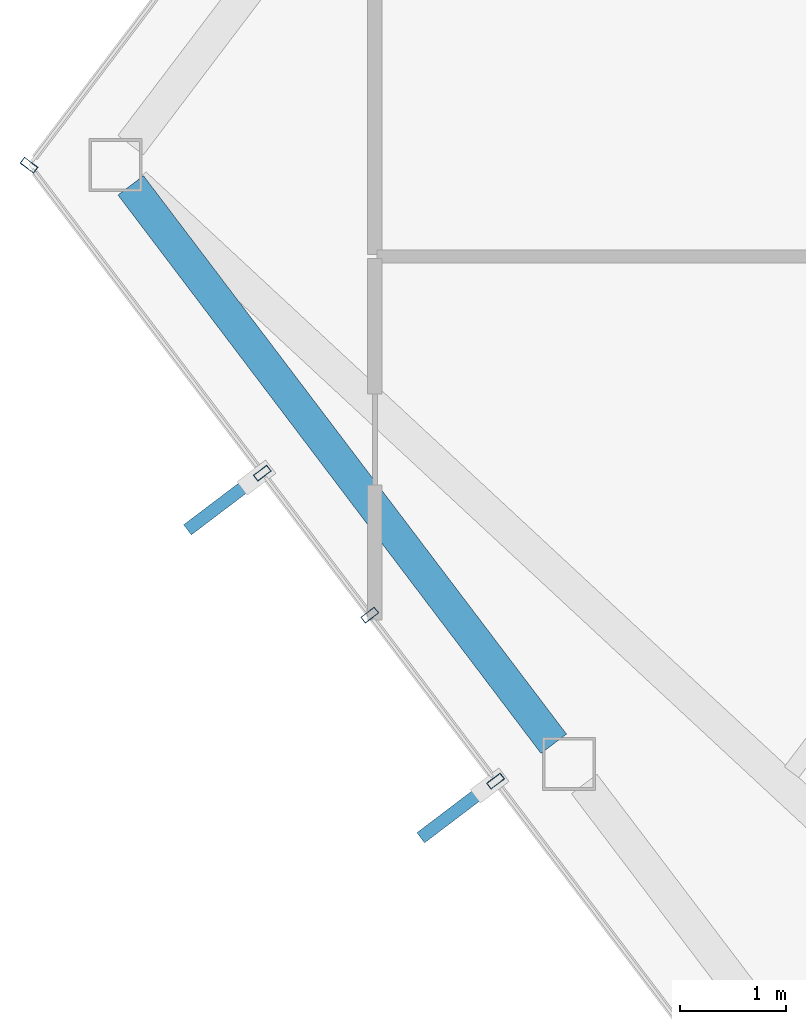
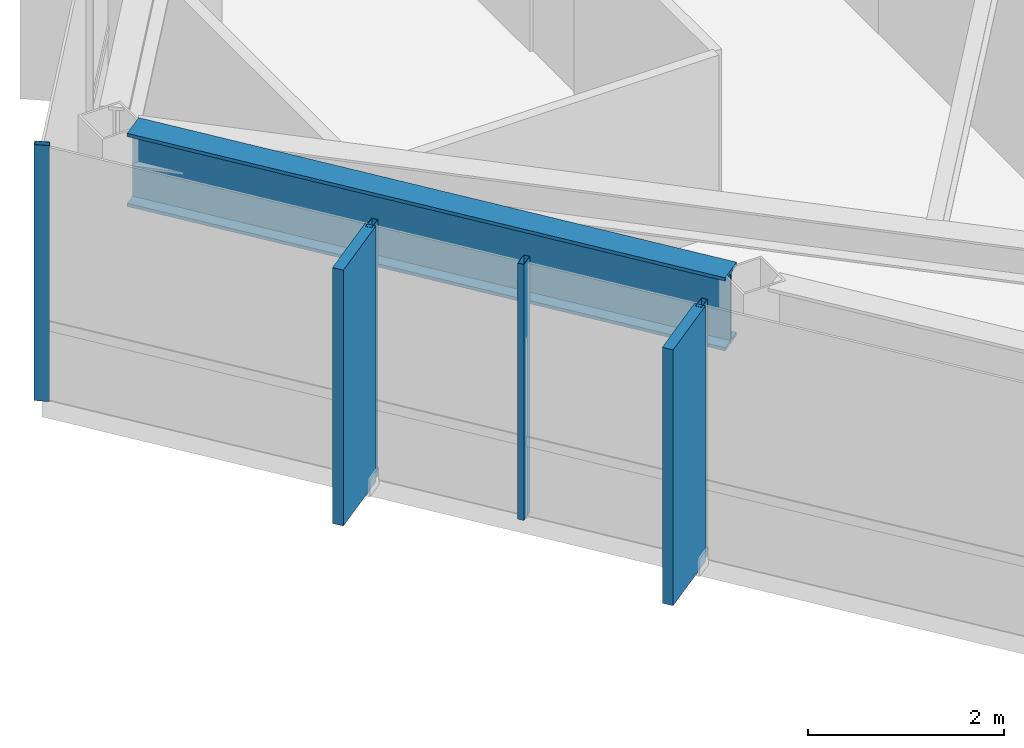
# One storey, part 8 of 26: 6 members, 1 beam, 2 elements without a shape of their own.
"""IFC4 building model written with IfcOpenShell, lengths in metres."""

from ifc_helpers import new_model, si_unit, direction, frame, origin, origin_2d, place, context, subcontext, project, spatial, rectangle, hollow_rectangle, i_section, extrude, material, layer, layer_set, material_profile, profile_set, type_object, element, aggregate, save


model = new_model("IFC4")

# Units and contexts
model_context = context("Model", 3, precision=1e-05, world=origin(), true_north=direction((0.0, 1.0)))
body_context = subcontext(model_context, "Body", "Model", "MODEL_VIEW")
ifc_project = project(units=[si_unit("LENGTHUNIT", "METRE"), si_unit("AREAUNIT", "SQUARE_METRE"), si_unit("VOLUMEUNIT", "CUBIC_METRE"), si_unit("PLANEANGLEUNIT", "RADIAN"), si_unit("MASSUNIT", "GRAM", prefix="KILO")], contexts=[model_context])

# Site, building, storey
site_placement = place(None, origin())
site = spatial("IfcSite", under=ifc_project, at=site_placement, CompositionType="ELEMENT")
building_placement = place(site_placement, origin())
building = spatial("IfcBuilding", under=site, at=building_placement, Name="Zarrinselat Tower", CompositionType="ELEMENT")
storey_placement = place(building_placement, frame((0.0, 0.0, 258.39990234375)))
storey = spatial("IfcBuildingStorey", under=building, at=storey_placement, Name="L65", CompositionType="ELEMENT", Elevation=258.39990234375)

# Beam
ifc_material_1 = material(Name="Steel S460M", Category="steel")
ifc_material_profile_1 = material_profile(ifc_material_1, i_section(OverallWidth=0.302001953125, OverallDepth=0.909912109375, WebThickness=0.02099609375, FlangeThickness=0.0400390625, at=origin_2d()), Name="HEM 900")
ifc_profile_set_1 = profile_set([ifc_material_profile_1], Name="Steel S460M")
beam_type = type_object("IfcBeamType", Name="BM-HEM900", PredefinedType="BEAM", material=ifc_profile_set_1)
beam_placement = place(storey_placement, frame((16.819091796875, 42.009765625, 2.72509765625), z_axis=(0.603884016578, -0.797072201574, 0.0), x_axis=(0.797072201574, 0.603884016578, 0.0)))
element("IfcBeam", 1, at=beam_placement, inside=storey, type_object=beam_type, Name="L65 Perimeter Spandrel Girder SP06", PredefinedType="BEAM", context=body_context, shape_type="SweptSolid", body=[
    extrude(i_section(OverallWidth=0.302001953125, OverallDepth=0.909912109375, WebThickness=0.02099609375, FlangeThickness=0.0400390625, at=origin_2d()), origin(), (0.0, 0.0, 1.0), 6.605712890625),
])

# Curtain wall, member
ifc_material_2 = material(Name="Extruded Aluminium Alloy EN AW-6063 T6", Category="aluminium")
ifc_layer = layer(ifc_material_2, 0.169921875)
ifc_layer_set = layer_set([ifc_layer], Name="Extruded Aluminium Alloy EN AW-6063 T6")
curtain_wall_type = type_object("IfcCurtainWallType", Name="CWS-RES", PredefinedType="NOTDEFINED", material=ifc_layer_set)
curtain_wall_1_placement = place(storey_placement, origin())
curtain_wall_1 = element("IfcCurtainWall", 2, at=curtain_wall_1_placement, inside=storey, type_object=curtain_wall_type, Name="L65 Unitised Curtain Wall CW-L65-E02", PredefinedType="NOTDEFINED")
ifc_material_3 = material(Name="Extruded Aluminium Alloy EN AW-6063 T6", Category="aluminium")
ifc_material_profile_2 = material_profile(ifc_material_3, hollow_rectangle(XDim=0.070068359375, YDim=0.159912109375, WallThickness=0.00390625, at=origin_2d()), Name="RHS 160x70x4")
ifc_profile_set_2 = profile_set([ifc_material_profile_2], Name="Extruded Aluminium Alloy EN AW-6063 T6")
member_type_1 = type_object("IfcMemberType", Name="MEM-CW-MUL2", PredefinedType="MULLION", material=ifc_profile_set_2)
member_1_placement = place(storey_placement, frame((15.860107421875, 42.199462890625, 0.0), z_axis=(0.0, 0.0, 1.0), x_axis=(-0.60385470922, -0.797094404793, 0.0)))
member_1 = element("IfcMember", 3, at=member_1_placement, type_object=member_type_1, Name="CW-L65-E02 Mullion 3", PredefinedType="MULLION", context=body_context, shape_type="SweptSolid", body=[
    extrude(hollow_rectangle(XDim=0.070068359375, YDim=0.159912109375, WallThickness=0.00390625, at=origin_2d()), origin(), (0.0, 0.0, 1.0), 3.18017578125),
])
aggregate(curtain_wall_1, [member_1])

# Curtain wall, members
curtain_wall_2_placement = place(storey_placement, origin())
curtain_wall_2 = element("IfcCurtainWall", 4, at=curtain_wall_2_placement, inside=storey, type_object=curtain_wall_type, Name="L65 Unitised Curtain Wall CW-L65-E03", PredefinedType="NOTDEFINED")
member_2_placement = place(storey_placement, frame((18.059814453125, 39.2958984375, 0.0), z_axis=(0.0, 0.0, 1.0), x_axis=(0.603858282603, -0.797091697694, 0.0)))
member_2 = element("IfcMember", 5, at=member_2_placement, type_object=member_type_1, Name="CW-L65-E03 Mullion 1", PredefinedType="MULLION", context=body_context, shape_type="SweptSolid", body=[
    extrude(hollow_rectangle(XDim=0.070068359375, YDim=0.159912109375, WallThickness=0.00390625, at=origin_2d()), origin(), (0.0, 0.0, 1.0), 3.18017578125),
])
member_3_placement = place(storey_placement, frame((19.07373046875, 37.957275390625, 0.0), z_axis=(0.0, 0.0, 1.0), x_axis=(0.603858282603, -0.797091697694, 0.0)))
member_3 = element("IfcMember", 6, at=member_3_placement, type_object=member_type_1, Name="CW-L65-E03 Mullion 2", PredefinedType="MULLION", context=body_context, shape_type="SweptSolid", body=[
    extrude(hollow_rectangle(XDim=0.070068359375, YDim=0.159912109375, WallThickness=0.00390625, at=origin_2d()), origin(), (0.0, 0.0, 1.0), 3.18017578125),
])
member_4_placement = place(storey_placement, frame((20.25927734375, 36.392333984375, 0.0), z_axis=(0.0, 0.0, 1.0), x_axis=(0.603858282603, -0.797091697694, 0.0)))
member_4 = element("IfcMember", 7, at=member_4_placement, type_object=member_type_1, Name="CW-L65-E03 Mullion 3", PredefinedType="MULLION", context=body_context, shape_type="SweptSolid", body=[
    extrude(hollow_rectangle(XDim=0.070068359375, YDim=0.159912109375, WallThickness=0.00390625, at=origin_2d()), origin(), (0.0, 0.0, 1.0), 3.18017578125),
])
ifc_material_4 = material(Name="Honed Cream Travertine Stone", Category="masonry")
ifc_material_profile_3 = material_profile(ifc_material_4, rectangle(XDim=0.1201171875, YDim=0.85009765625, at=origin_2d()), Name="FIN 850x120")
ifc_profile_set_3 = profile_set([ifc_material_profile_3], Name="Honed Cream Travertine Stone")
member_type_2 = type_object("IfcMemberType", Name="MEM-STONE-FIN", PredefinedType="USERDEFINED", material=ifc_profile_set_3)
member_5_placement = place(storey_placement, frame((17.693115234375, 39.01806640625, 0.0), z_axis=(0.0, 0.0, 1.0), x_axis=(-0.603858282603, 0.797091697694, 0.0)))
member_5 = element("IfcMember", 8, at=member_5_placement, type_object=member_type_2, Name="L65 Stone Shading Fin CW-L65-E03-01", ObjectType="FIN", PredefinedType="USERDEFINED", context=body_context, shape_type="SweptSolid", body=[
    extrude(rectangle(XDim=0.1201171875, YDim=0.85009765625, at=origin_2d()), origin(), (0.0, 0.0, 1.0), 3.18017578125),
])
member_6_placement = place(storey_placement, frame((19.892578125, 36.114501953125, 0.0), z_axis=(0.0, 0.0, 1.0), x_axis=(-0.603858282603, 0.797091697694, 0.0)))
member_6 = element("IfcMember", 9, at=member_6_placement, type_object=member_type_2, Name="L65 Stone Shading Fin CW-L65-E03-03", ObjectType="FIN", PredefinedType="USERDEFINED", context=body_context, shape_type="SweptSolid", body=[
    extrude(rectangle(XDim=0.1201171875, YDim=0.85009765625, at=origin_2d()), origin(), (0.0, 0.0, 1.0), 3.18017578125),
])
aggregate(curtain_wall_2, [member_2, member_5, member_3, member_4, member_6])

save(model, "model.ifc")
